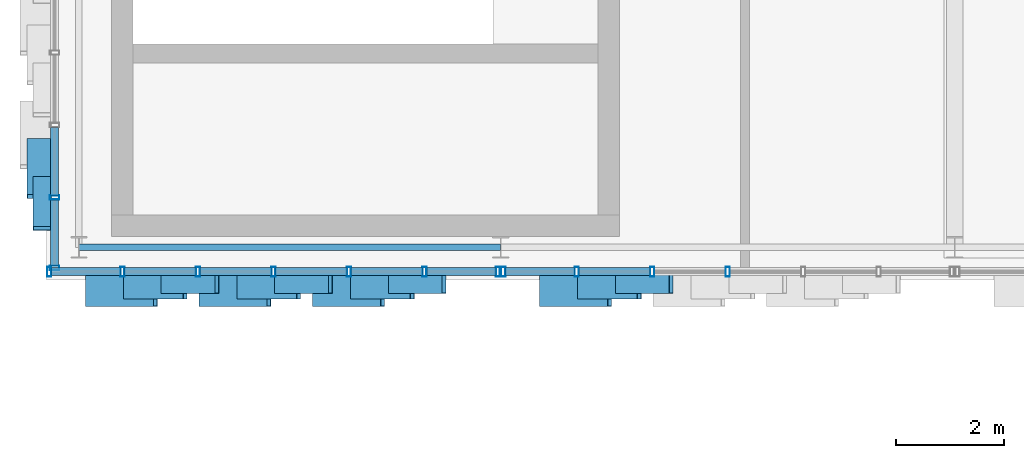
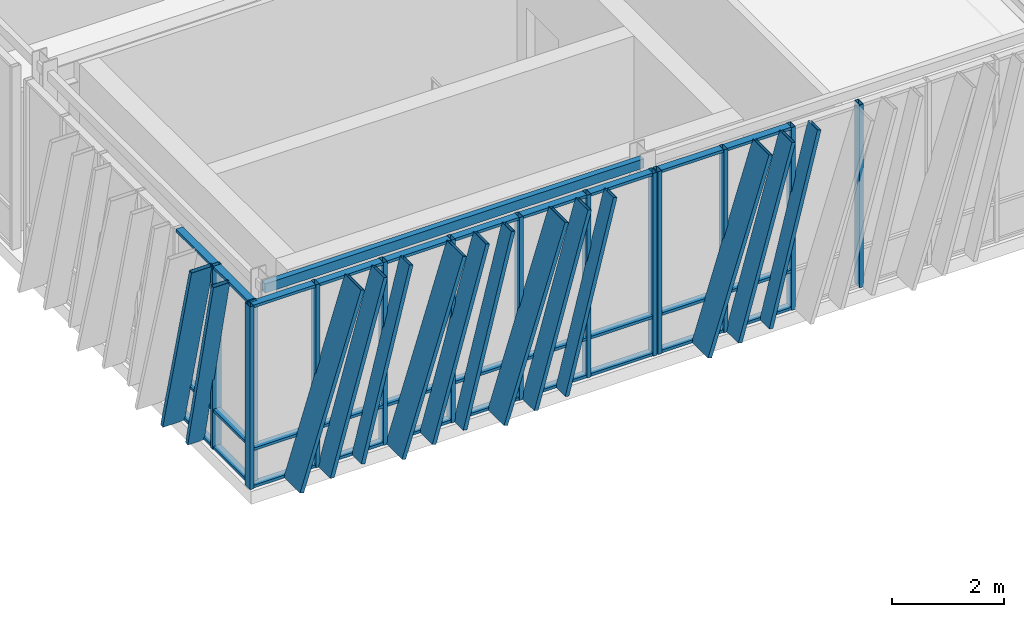
# One storey, part 19 of 123: 57 members, 1 beam, 3 elements without a shape of their own.
"""IFC4 building model written with IfcOpenShell, lengths in metres."""

from ifc_helpers import new_model, si_unit, direction, frame, origin, origin_2d, place, context, subcontext, project, spatial, hollow_rectangle, extrude, material, layer, layer_set, material_profile, profile_set, type_object, element, aggregate, save


model = new_model("IFC4")

# Units and contexts
model_context = context("Model", 3, precision=1e-05, world=origin(), true_north=direction((0.0, 1.0)))
body_context = subcontext(model_context, "Body", "Model", "MODEL_VIEW")
ifc_project = project(units=[si_unit("LENGTHUNIT", "METRE"), si_unit("AREAUNIT", "SQUARE_METRE"), si_unit("VOLUMEUNIT", "CUBIC_METRE"), si_unit("PLANEANGLEUNIT", "RADIAN"), si_unit("MASSUNIT", "GRAM", prefix="KILO")], contexts=[model_context])

# Site, building, storey
site_placement = place(None, origin())
site = spatial("IfcSite", under=ifc_project, at=site_placement, CompositionType="ELEMENT")
building_placement = place(site_placement, origin())
building = spatial("IfcBuilding", under=site, at=building_placement, Name="Zayran Congress Hotel", CompositionType="ELEMENT")
storey_placement = place(building_placement, frame((0.0, 0.0, 15.0)))
storey = spatial("IfcBuildingStorey", under=building, at=storey_placement, Name="L03", CompositionType="ELEMENT", Elevation=15.0)

# Beam
ifc_material_1 = material(Name="Steel S355", Category="steel")
ifc_material_profile_1 = material_profile(ifc_material_1, hollow_rectangle(XDim=0.1201171875, YDim=0.199951171875, WallThickness=0.008056640625, at=origin_2d()), Name="RHS 200x120x8")
ifc_profile_set_1 = profile_set([ifc_material_profile_1], Name="Steel S355")
beam_type = type_object("IfcBeamType", Name="TP-SP-02", PredefinedType="SPANDREL", material=ifc_profile_set_1)
beam_placement = place(storey_placement, frame((9.0, 68.199951171875, 3.8798828125), z_axis=(1.0, 0.0, 0.0), x_axis=(0.0, 1.0, 0.0)))
element("IfcBeam", 1, at=beam_placement, inside=storey, type_object=beam_type, Name="BM-V1-L03-0791", PredefinedType="SPANDREL", context=body_context, shape_type="SweptSolid", body=[
    extrude(hollow_rectangle(XDim=0.1201171875, YDim=0.199951171875, WallThickness=0.008056640625, at=origin_2d()), origin(), (0.0, 0.0, 1.0), 7.800048828125),
])

# Curtain wall, members
ifc_material_2 = material(Name="Anodised aluminium and low-E insulated glass", Category="aluminium")
ifc_layer_1 = layer(ifc_material_2, 0.179931640625)
ifc_layer_set_1 = layer_set([ifc_layer_1], Name="Anodised aluminium and low-E insulated glass")
curtain_wall_type_1 = type_object("IfcCurtainWallType", Name="CW-V1S-L03-CW-11-8380-3980", PredefinedType="USERDEFINED", material=ifc_layer_set_1)
curtain_wall_1_placement = place(storey_placement, origin())
curtain_wall_1 = element("IfcCurtainWall", 2, at=curtain_wall_1_placement, inside=storey, type_object=curtain_wall_type_1, Name="CW-V1S-L03-0", ObjectType="CURTAIN WALL", PredefinedType="USERDEFINED")
ifc_material_3 = material(Name="Anodised aluminium framing", Category="aluminium")
ifc_material_profile_2 = material_profile(ifc_material_3, hollow_rectangle(XDim=0.080078125, YDim=0.179931640625, WallThickness=0.0048828125, at=origin_2d()), Name="RHS 180x80x5")
ifc_profile_set_2 = profile_set([ifc_material_profile_2], Name="Anodised aluminium framing")
member_type_1 = type_object("IfcMemberType", Name="TP-CWM-01", PredefinedType="MULLION", material=ifc_profile_set_2)
member_1_placement = place(storey_placement, frame((8.449951171875, 67.75, 0.0), z_axis=(0.0, 0.0, 1.0), x_axis=(1.0, 0.0, 0.0)))
member_1 = element("IfcMember", 3, at=member_1_placement, type_object=member_type_1, Name="CW-V1S-L03-0-M00", PredefinedType="MULLION", context=body_context, shape_type="SweptSolid", body=[
    extrude(hollow_rectangle(XDim=0.080078125, YDim=0.179931640625, WallThickness=0.0048828125, at=origin_2d()), origin(), (0.0, 0.0, 1.0), 3.97998046875),
])
member_2_placement = place(storey_placement, frame((9.806640625, 67.75, 0.0), z_axis=(0.0, 0.0, 1.0), x_axis=(1.0, 0.0, 0.0)))
member_2 = element("IfcMember", 4, at=member_2_placement, type_object=member_type_1, Name="CW-V1S-L03-0-M01", PredefinedType="MULLION", context=body_context, shape_type="SweptSolid", body=[
    extrude(hollow_rectangle(XDim=0.080078125, YDim=0.179931640625, WallThickness=0.0048828125, at=origin_2d()), origin(), (0.0, 0.0, 1.0), 3.97998046875),
])
member_3_placement = place(storey_placement, frame((11.203369140625, 67.75, 0.0), z_axis=(0.0, 0.0, 1.0), x_axis=(1.0, 0.0, 0.0)))
member_3 = element("IfcMember", 5, at=member_3_placement, type_object=member_type_1, Name="CW-V1S-L03-0-M02", PredefinedType="MULLION", context=body_context, shape_type="SweptSolid", body=[
    extrude(hollow_rectangle(XDim=0.080078125, YDim=0.179931640625, WallThickness=0.0048828125, at=origin_2d()), origin(), (0.0, 0.0, 1.0), 3.97998046875),
])
member_4_placement = place(storey_placement, frame((12.60009765625, 67.75, 0.0), z_axis=(0.0, 0.0, 1.0), x_axis=(1.0, 0.0, 0.0)))
member_4 = element("IfcMember", 6, at=member_4_placement, type_object=member_type_1, Name="CW-V1S-L03-0-M03", PredefinedType="MULLION", context=body_context, shape_type="SweptSolid", body=[
    extrude(hollow_rectangle(XDim=0.080078125, YDim=0.179931640625, WallThickness=0.0048828125, at=origin_2d()), origin(), (0.0, 0.0, 1.0), 3.97998046875),
])
member_5_placement = place(storey_placement, frame((13.99658203125, 67.75, 0.0), z_axis=(0.0, 0.0, 1.0), x_axis=(1.0, 0.0, 0.0)))
member_5 = element("IfcMember", 7, at=member_5_placement, type_object=member_type_1, Name="CW-V1S-L03-0-M04", PredefinedType="MULLION", context=body_context, shape_type="SweptSolid", body=[
    extrude(hollow_rectangle(XDim=0.080078125, YDim=0.179931640625, WallThickness=0.0048828125, at=origin_2d()), origin(), (0.0, 0.0, 1.0), 3.97998046875),
])
member_6_placement = place(storey_placement, frame((15.393310546875, 67.75, 0.0), z_axis=(0.0, 0.0, 1.0), x_axis=(1.0, 0.0, 0.0)))
member_6 = element("IfcMember", 8, at=member_6_placement, type_object=member_type_1, Name="CW-V1S-L03-0-M05", PredefinedType="MULLION", context=body_context, shape_type="SweptSolid", body=[
    extrude(hollow_rectangle(XDim=0.080078125, YDim=0.179931640625, WallThickness=0.0048828125, at=origin_2d()), origin(), (0.0, 0.0, 1.0), 3.97998046875),
])
member_7_placement = place(storey_placement, frame((16.75, 67.75, 0.0), z_axis=(0.0, 0.0, 1.0), x_axis=(1.0, 0.0, 0.0)))
member_7 = element("IfcMember", 9, at=member_7_placement, type_object=member_type_1, Name="CW-V1S-L03-0-M06", PredefinedType="MULLION", context=body_context, shape_type="SweptSolid", body=[
    extrude(hollow_rectangle(XDim=0.080078125, YDim=0.179931640625, WallThickness=0.0048828125, at=origin_2d()), origin(), (0.0, 0.0, 1.0), 3.97998046875),
])

ifc_layer_2 = layer(ifc_material_2, 0.179931640625)
ifc_layer_set_2 = layer_set([ifc_layer_2], Name="Anodised aluminium and low-E insulated glass")
curtain_wall_type_2 = type_object("IfcCurtainWallType", Name="CW-V1S-L03-CW-12-8380-3980", PredefinedType="USERDEFINED", material=ifc_layer_set_2)
curtain_wall_2_placement = place(storey_placement, origin())
curtain_wall_2 = element("IfcCurtainWall", 10, at=curtain_wall_2_placement, inside=storey, type_object=curtain_wall_type_2, Name="CW-V1S-L03-1", ObjectType="CURTAIN WALL", PredefinedType="USERDEFINED")
member_8_placement = place(storey_placement, frame((16.85009765625, 67.75, 0.0), z_axis=(0.0, 0.0, 1.0), x_axis=(1.0, 0.0, 0.0)))
member_8 = element("IfcMember", 11, at=member_8_placement, type_object=member_type_1, Name="CW-V1S-L03-1-M00", PredefinedType="MULLION", context=body_context, shape_type="SweptSolid", body=[
    extrude(hollow_rectangle(XDim=0.080078125, YDim=0.179931640625, WallThickness=0.0048828125, at=origin_2d()), origin(), (0.0, 0.0, 1.0), 3.97998046875),
])
member_9_placement = place(storey_placement, frame((18.206787109375, 67.75, 0.0), z_axis=(0.0, 0.0, 1.0), x_axis=(1.0, 0.0, 0.0)))
member_9 = element("IfcMember", 12, at=member_9_placement, type_object=member_type_1, Name="CW-V1S-L03-1-M01", PredefinedType="MULLION", context=body_context, shape_type="SweptSolid", body=[
    extrude(hollow_rectangle(XDim=0.080078125, YDim=0.179931640625, WallThickness=0.0048828125, at=origin_2d()), origin(), (0.0, 0.0, 1.0), 3.97998046875),
])
member_10_placement = place(storey_placement, frame((19.603271484375, 67.75, 0.0), z_axis=(0.0, 0.0, 1.0), x_axis=(1.0, 0.0, 0.0)))
member_10 = element("IfcMember", 13, at=member_10_placement, type_object=member_type_1, Name="CW-V1S-L03-1-M02", PredefinedType="MULLION", context=body_context, shape_type="SweptSolid", body=[
    extrude(hollow_rectangle(XDim=0.080078125, YDim=0.179931640625, WallThickness=0.0048828125, at=origin_2d()), origin(), (0.0, 0.0, 1.0), 3.97998046875),
])
member_11_placement = place(storey_placement, frame((21.0, 67.75, 0.0), z_axis=(0.0, 0.0, 1.0), x_axis=(1.0, 0.0, 0.0)))
member_11 = element("IfcMember", 14, at=member_11_placement, type_object=member_type_1, Name="CW-V1S-L03-1-M03", PredefinedType="MULLION", context=body_context, shape_type="SweptSolid", body=[
    extrude(hollow_rectangle(XDim=0.080078125, YDim=0.179931640625, WallThickness=0.0048828125, at=origin_2d()), origin(), (0.0, 0.0, 1.0), 3.97998046875),
])

ifc_layer_3 = layer(ifc_material_2, 0.179931640625)
ifc_layer_set_3 = layer_set([ifc_layer_3], Name="Anodised aluminium and low-E insulated glass")
curtain_wall_type_3 = type_object("IfcCurtainWallType", Name="CW-V1W-L03-CW-31-8040-3980", PredefinedType="USERDEFINED", material=ifc_layer_set_3)
curtain_wall_3_placement = place(storey_placement, origin())
curtain_wall_3 = element("IfcCurtainWall", 15, at=curtain_wall_3_placement, inside=storey, type_object=curtain_wall_type_3, Name="CW-V1W-L03-0", ObjectType="CURTAIN WALL", PredefinedType="USERDEFINED")
member_12_placement = place(storey_placement, frame((8.550048828125, 69.1201171875, 0.0), z_axis=(0.0, 0.0, 1.0), x_axis=(0.0, 1.0, 0.0)))
member_12 = element("IfcMember", 16, at=member_12_placement, type_object=member_type_1, Name="CW-V1W-L03-0-M05", PredefinedType="MULLION", context=body_context, shape_type="SweptSolid", body=[
    extrude(hollow_rectangle(XDim=0.080078125, YDim=0.179931640625, WallThickness=0.0048828125, at=origin_2d()), origin(), (0.0, 0.0, 1.0), 3.97998046875),
])
member_13_placement = place(storey_placement, frame((8.550048828125, 67.820068359375, 0.0), z_axis=(0.0, 0.0, 1.0), x_axis=(0.0, 1.0, 0.0)))
member_13 = element("IfcMember", 17, at=member_13_placement, type_object=member_type_1, Name="CW-V1W-L03-0-M06", PredefinedType="MULLION", context=body_context, shape_type="SweptSolid", body=[
    extrude(hollow_rectangle(XDim=0.080078125, YDim=0.179931640625, WallThickness=0.0048828125, at=origin_2d()), origin(), (0.0, 0.0, 1.0), 3.97998046875),
])

# Member
ifc_material_profile_3 = material_profile(ifc_material_3, hollow_rectangle(XDim=0.06005859375, YDim=0.14990234375, WallThickness=0.00390625, at=origin_2d()), Name="RHS 150x60x4")
ifc_profile_set_3 = profile_set([ifc_material_profile_3], Name="Anodised aluminium framing")
member_type_2 = type_object("IfcMemberType", Name="TP-CWT-01", PredefinedType="USERDEFINED", material=ifc_profile_set_3)
member_14_placement = place(storey_placement, frame((8.489990234375, 67.75, 0.030029296875), z_axis=(1.0, 0.0, 0.0), x_axis=(0.0, 0.0, 1.0)))
member_14 = element("IfcMember", 18, at=member_14_placement, type_object=member_type_2, Name="CW-V1S-L03-0-T00-0", ObjectType="TRANSOM", PredefinedType="USERDEFINED", context=body_context, shape_type="SweptSolid", body=[
    extrude(hollow_rectangle(XDim=0.06005859375, YDim=0.14990234375, WallThickness=0.00390625, at=origin_2d()), origin(), (0.0, 0.0, 1.0), 1.276611328125),
])

member_15_placement = place(storey_placement, frame((8.489990234375, 67.75, 0.840087890625), z_axis=(1.0, 0.0, 0.0), x_axis=(0.0, 0.0, 1.0)))
member_15 = element("IfcMember", 19, at=member_15_placement, type_object=member_type_2, Name="CW-V1S-L03-0-T00-1", ObjectType="TRANSOM", PredefinedType="USERDEFINED", context=body_context, shape_type="SweptSolid", body=[
    extrude(hollow_rectangle(XDim=0.06005859375, YDim=0.14990234375, WallThickness=0.00390625, at=origin_2d()), origin(), (0.0, 0.0, 1.0), 1.276611328125),
])

member_16_placement = place(storey_placement, frame((8.489990234375, 67.75, 3.949951171875), z_axis=(1.0, 0.0, 0.0), x_axis=(0.0, 0.0, 1.0)))
member_16 = element("IfcMember", 20, at=member_16_placement, type_object=member_type_2, Name="CW-V1S-L03-0-T00-2", ObjectType="TRANSOM", PredefinedType="USERDEFINED", context=body_context, shape_type="SweptSolid", body=[
    extrude(hollow_rectangle(XDim=0.06005859375, YDim=0.14990234375, WallThickness=0.00390625, at=origin_2d()), origin(), (0.0, 0.0, 1.0), 1.276611328125),
])

member_17_placement = place(storey_placement, frame((9.8466796875, 67.75, 0.030029296875), z_axis=(1.0, 0.0, 0.0), x_axis=(0.0, 0.0, 1.0)))
member_17 = element("IfcMember", 21, at=member_17_placement, type_object=member_type_2, Name="CW-V1S-L03-0-T01-0", ObjectType="TRANSOM", PredefinedType="USERDEFINED", context=body_context, shape_type="SweptSolid", body=[
    extrude(hollow_rectangle(XDim=0.06005859375, YDim=0.14990234375, WallThickness=0.00390625, at=origin_2d()), origin(), (0.0, 0.0, 1.0), 1.316650390625),
])

member_18_placement = place(storey_placement, frame((9.8466796875, 67.75, 0.840087890625), z_axis=(1.0, 0.0, 0.0), x_axis=(0.0, 0.0, 1.0)))
member_18 = element("IfcMember", 22, at=member_18_placement, type_object=member_type_2, Name="CW-V1S-L03-0-T01-1", ObjectType="TRANSOM", PredefinedType="USERDEFINED", context=body_context, shape_type="SweptSolid", body=[
    extrude(hollow_rectangle(XDim=0.06005859375, YDim=0.14990234375, WallThickness=0.00390625, at=origin_2d()), origin(), (0.0, 0.0, 1.0), 1.316650390625),
])

member_19_placement = place(storey_placement, frame((9.8466796875, 67.75, 3.949951171875), z_axis=(1.0, 0.0, 0.0), x_axis=(0.0, 0.0, 1.0)))
member_19 = element("IfcMember", 23, at=member_19_placement, type_object=member_type_2, Name="CW-V1S-L03-0-T01-2", ObjectType="TRANSOM", PredefinedType="USERDEFINED", context=body_context, shape_type="SweptSolid", body=[
    extrude(hollow_rectangle(XDim=0.06005859375, YDim=0.14990234375, WallThickness=0.00390625, at=origin_2d()), origin(), (0.0, 0.0, 1.0), 1.316650390625),
])

member_20_placement = place(storey_placement, frame((11.243408203125, 67.75, 0.030029296875), z_axis=(1.0, 0.0, 0.0), x_axis=(0.0, 0.0, 1.0)))
member_20 = element("IfcMember", 24, at=member_20_placement, type_object=member_type_2, Name="CW-V1S-L03-0-T02-0", ObjectType="TRANSOM", PredefinedType="USERDEFINED", context=body_context, shape_type="SweptSolid", body=[
    extrude(hollow_rectangle(XDim=0.06005859375, YDim=0.14990234375, WallThickness=0.00390625, at=origin_2d()), origin(), (0.0, 0.0, 1.0), 1.316650390625),
])

member_21_placement = place(storey_placement, frame((11.243408203125, 67.75, 0.840087890625), z_axis=(1.0, 0.0, 0.0), x_axis=(0.0, 0.0, 1.0)))
member_21 = element("IfcMember", 25, at=member_21_placement, type_object=member_type_2, Name="CW-V1S-L03-0-T02-1", ObjectType="TRANSOM", PredefinedType="USERDEFINED", context=body_context, shape_type="SweptSolid", body=[
    extrude(hollow_rectangle(XDim=0.06005859375, YDim=0.14990234375, WallThickness=0.00390625, at=origin_2d()), origin(), (0.0, 0.0, 1.0), 1.316650390625),
])

member_22_placement = place(storey_placement, frame((11.243408203125, 67.75, 3.949951171875), z_axis=(1.0, 0.0, 0.0), x_axis=(0.0, 0.0, 1.0)))
member_22 = element("IfcMember", 26, at=member_22_placement, type_object=member_type_2, Name="CW-V1S-L03-0-T02-2", ObjectType="TRANSOM", PredefinedType="USERDEFINED", context=body_context, shape_type="SweptSolid", body=[
    extrude(hollow_rectangle(XDim=0.06005859375, YDim=0.14990234375, WallThickness=0.00390625, at=origin_2d()), origin(), (0.0, 0.0, 1.0), 1.316650390625),
])

member_23_placement = place(storey_placement, frame((12.639892578125, 67.75, 0.030029296875), z_axis=(1.0, 0.0, 0.0), x_axis=(0.0, 0.0, 1.0)))
member_23 = element("IfcMember", 27, at=member_23_placement, type_object=member_type_2, Name="CW-V1S-L03-0-T03-0", ObjectType="TRANSOM", PredefinedType="USERDEFINED", context=body_context, shape_type="SweptSolid", body=[
    extrude(hollow_rectangle(XDim=0.06005859375, YDim=0.14990234375, WallThickness=0.00390625, at=origin_2d()), origin(), (0.0, 0.0, 1.0), 1.31689453125),
])

member_24_placement = place(storey_placement, frame((12.639892578125, 67.75, 0.840087890625), z_axis=(1.0, 0.0, 0.0), x_axis=(0.0, 0.0, 1.0)))
member_24 = element("IfcMember", 28, at=member_24_placement, type_object=member_type_2, Name="CW-V1S-L03-0-T03-1", ObjectType="TRANSOM", PredefinedType="USERDEFINED", context=body_context, shape_type="SweptSolid", body=[
    extrude(hollow_rectangle(XDim=0.06005859375, YDim=0.14990234375, WallThickness=0.00390625, at=origin_2d()), origin(), (0.0, 0.0, 1.0), 1.31689453125),
])

member_25_placement = place(storey_placement, frame((12.639892578125, 67.75, 3.949951171875), z_axis=(1.0, 0.0, 0.0), x_axis=(0.0, 0.0, 1.0)))
member_25 = element("IfcMember", 29, at=member_25_placement, type_object=member_type_2, Name="CW-V1S-L03-0-T03-2", ObjectType="TRANSOM", PredefinedType="USERDEFINED", context=body_context, shape_type="SweptSolid", body=[
    extrude(hollow_rectangle(XDim=0.06005859375, YDim=0.14990234375, WallThickness=0.00390625, at=origin_2d()), origin(), (0.0, 0.0, 1.0), 1.31689453125),
])

member_26_placement = place(storey_placement, frame((14.03662109375, 67.75, 0.030029296875), z_axis=(1.0, 0.0, 0.0), x_axis=(0.0, 0.0, 1.0)))
member_26 = element("IfcMember", 30, at=member_26_placement, type_object=member_type_2, Name="CW-V1S-L03-0-T04-0", ObjectType="TRANSOM", PredefinedType="USERDEFINED", context=body_context, shape_type="SweptSolid", body=[
    extrude(hollow_rectangle(XDim=0.06005859375, YDim=0.14990234375, WallThickness=0.00390625, at=origin_2d()), origin(), (0.0, 0.0, 1.0), 1.316650390625),
])

member_27_placement = place(storey_placement, frame((14.03662109375, 67.75, 0.840087890625), z_axis=(1.0, 0.0, 0.0), x_axis=(0.0, 0.0, 1.0)))
member_27 = element("IfcMember", 31, at=member_27_placement, type_object=member_type_2, Name="CW-V1S-L03-0-T04-1", ObjectType="TRANSOM", PredefinedType="USERDEFINED", context=body_context, shape_type="SweptSolid", body=[
    extrude(hollow_rectangle(XDim=0.06005859375, YDim=0.14990234375, WallThickness=0.00390625, at=origin_2d()), origin(), (0.0, 0.0, 1.0), 1.316650390625),
])

member_28_placement = place(storey_placement, frame((14.03662109375, 67.75, 3.949951171875), z_axis=(1.0, 0.0, 0.0), x_axis=(0.0, 0.0, 1.0)))
member_28 = element("IfcMember", 32, at=member_28_placement, type_object=member_type_2, Name="CW-V1S-L03-0-T04-2", ObjectType="TRANSOM", PredefinedType="USERDEFINED", context=body_context, shape_type="SweptSolid", body=[
    extrude(hollow_rectangle(XDim=0.06005859375, YDim=0.14990234375, WallThickness=0.00390625, at=origin_2d()), origin(), (0.0, 0.0, 1.0), 1.316650390625),
])

member_29_placement = place(storey_placement, frame((15.433349609375, 67.75, 0.030029296875), z_axis=(1.0, 0.0, 0.0), x_axis=(0.0, 0.0, 1.0)))
member_29 = element("IfcMember", 33, at=member_29_placement, type_object=member_type_2, Name="CW-V1S-L03-0-T05-0", ObjectType="TRANSOM", PredefinedType="USERDEFINED", context=body_context, shape_type="SweptSolid", body=[
    extrude(hollow_rectangle(XDim=0.06005859375, YDim=0.14990234375, WallThickness=0.00390625, at=origin_2d()), origin(), (0.0, 0.0, 1.0), 1.276611328125),
])

member_30_placement = place(storey_placement, frame((15.433349609375, 67.75, 0.840087890625), z_axis=(1.0, 0.0, 0.0), x_axis=(0.0, 0.0, 1.0)))
member_30 = element("IfcMember", 34, at=member_30_placement, type_object=member_type_2, Name="CW-V1S-L03-0-T05-1", ObjectType="TRANSOM", PredefinedType="USERDEFINED", context=body_context, shape_type="SweptSolid", body=[
    extrude(hollow_rectangle(XDim=0.06005859375, YDim=0.14990234375, WallThickness=0.00390625, at=origin_2d()), origin(), (0.0, 0.0, 1.0), 1.276611328125),
])

member_31_placement = place(storey_placement, frame((15.433349609375, 67.75, 3.949951171875), z_axis=(1.0, 0.0, 0.0), x_axis=(0.0, 0.0, 1.0)))
member_31 = element("IfcMember", 35, at=member_31_placement, type_object=member_type_2, Name="CW-V1S-L03-0-T05-2", ObjectType="TRANSOM", PredefinedType="USERDEFINED", context=body_context, shape_type="SweptSolid", body=[
    extrude(hollow_rectangle(XDim=0.06005859375, YDim=0.14990234375, WallThickness=0.00390625, at=origin_2d()), origin(), (0.0, 0.0, 1.0), 1.276611328125),
])

member_32_placement = place(storey_placement, frame((16.889892578125, 67.75, 0.030029296875), z_axis=(1.0, 0.0, 0.0), x_axis=(0.0, 0.0, 1.0)))
member_32 = element("IfcMember", 36, at=member_32_placement, type_object=member_type_2, Name="CW-V1S-L03-1-T00-0", ObjectType="TRANSOM", PredefinedType="USERDEFINED", context=body_context, shape_type="SweptSolid", body=[
    extrude(hollow_rectangle(XDim=0.06005859375, YDim=0.14990234375, WallThickness=0.00390625, at=origin_2d()), origin(), (0.0, 0.0, 1.0), 1.27685546875),
])

member_33_placement = place(storey_placement, frame((16.889892578125, 67.75, 0.840087890625), z_axis=(1.0, 0.0, 0.0), x_axis=(0.0, 0.0, 1.0)))
member_33 = element("IfcMember", 37, at=member_33_placement, type_object=member_type_2, Name="CW-V1S-L03-1-T00-1", ObjectType="TRANSOM", PredefinedType="USERDEFINED", context=body_context, shape_type="SweptSolid", body=[
    extrude(hollow_rectangle(XDim=0.06005859375, YDim=0.14990234375, WallThickness=0.00390625, at=origin_2d()), origin(), (0.0, 0.0, 1.0), 1.27685546875),
])

member_34_placement = place(storey_placement, frame((16.889892578125, 67.75, 3.949951171875), z_axis=(1.0, 0.0, 0.0), x_axis=(0.0, 0.0, 1.0)))
member_34 = element("IfcMember", 38, at=member_34_placement, type_object=member_type_2, Name="CW-V1S-L03-1-T00-2", ObjectType="TRANSOM", PredefinedType="USERDEFINED", context=body_context, shape_type="SweptSolid", body=[
    extrude(hollow_rectangle(XDim=0.06005859375, YDim=0.14990234375, WallThickness=0.00390625, at=origin_2d()), origin(), (0.0, 0.0, 1.0), 1.27685546875),
])

member_35_placement = place(storey_placement, frame((18.24658203125, 67.75, 0.030029296875), z_axis=(1.0, 0.0, 0.0), x_axis=(0.0, 0.0, 1.0)))
member_35 = element("IfcMember", 39, at=member_35_placement, type_object=member_type_2, Name="CW-V1S-L03-1-T01-0", ObjectType="TRANSOM", PredefinedType="USERDEFINED", context=body_context, shape_type="SweptSolid", body=[
    extrude(hollow_rectangle(XDim=0.06005859375, YDim=0.14990234375, WallThickness=0.00390625, at=origin_2d()), origin(), (0.0, 0.0, 1.0), 1.316650390625),
])

member_36_placement = place(storey_placement, frame((18.24658203125, 67.75, 0.840087890625), z_axis=(1.0, 0.0, 0.0), x_axis=(0.0, 0.0, 1.0)))
member_36 = element("IfcMember", 40, at=member_36_placement, type_object=member_type_2, Name="CW-V1S-L03-1-T01-1", ObjectType="TRANSOM", PredefinedType="USERDEFINED", context=body_context, shape_type="SweptSolid", body=[
    extrude(hollow_rectangle(XDim=0.06005859375, YDim=0.14990234375, WallThickness=0.00390625, at=origin_2d()), origin(), (0.0, 0.0, 1.0), 1.316650390625),
])

member_37_placement = place(storey_placement, frame((18.24658203125, 67.75, 3.949951171875), z_axis=(1.0, 0.0, 0.0), x_axis=(0.0, 0.0, 1.0)))
member_37 = element("IfcMember", 41, at=member_37_placement, type_object=member_type_2, Name="CW-V1S-L03-1-T01-2", ObjectType="TRANSOM", PredefinedType="USERDEFINED", context=body_context, shape_type="SweptSolid", body=[
    extrude(hollow_rectangle(XDim=0.06005859375, YDim=0.14990234375, WallThickness=0.00390625, at=origin_2d()), origin(), (0.0, 0.0, 1.0), 1.316650390625),
])

member_38_placement = place(storey_placement, frame((8.550048828125, 70.419921875, 0.030029296875), z_axis=(0.0, -1.0, 0.0), x_axis=(0.0, 0.0, 1.0)))
member_38 = element("IfcMember", 42, at=member_38_placement, type_object=member_type_2, Name="CW-V1W-L03-0-T04-0", ObjectType="TRANSOM", PredefinedType="USERDEFINED", context=body_context, shape_type="SweptSolid", body=[
    extrude(hollow_rectangle(XDim=0.06005859375, YDim=0.14990234375, WallThickness=0.00390625, at=origin_2d()), origin(), (0.0, 0.0, 1.0), 1.260009765625),
])

member_39_placement = place(storey_placement, frame((8.550048828125, 70.419921875, 0.840087890625), z_axis=(0.0, -1.0, 0.0), x_axis=(0.0, 0.0, 1.0)))
member_39 = element("IfcMember", 43, at=member_39_placement, type_object=member_type_2, Name="CW-V1W-L03-0-T04-1", ObjectType="TRANSOM", PredefinedType="USERDEFINED", context=body_context, shape_type="SweptSolid", body=[
    extrude(hollow_rectangle(XDim=0.06005859375, YDim=0.14990234375, WallThickness=0.00390625, at=origin_2d()), origin(), (0.0, 0.0, 1.0), 1.260009765625),
])

member_40_placement = place(storey_placement, frame((8.550048828125, 70.419921875, 3.949951171875), z_axis=(0.0, -1.0, 0.0), x_axis=(0.0, 0.0, 1.0)))
member_40 = element("IfcMember", 44, at=member_40_placement, type_object=member_type_2, Name="CW-V1W-L03-0-T04-2", ObjectType="TRANSOM", PredefinedType="USERDEFINED", context=body_context, shape_type="SweptSolid", body=[
    extrude(hollow_rectangle(XDim=0.06005859375, YDim=0.14990234375, WallThickness=0.00390625, at=origin_2d()), origin(), (0.0, 0.0, 1.0), 1.260009765625),
])

member_41_placement = place(storey_placement, frame((8.550048828125, 69.080078125, 0.030029296875), z_axis=(0.0, -1.0, 0.0), x_axis=(0.0, 0.0, 1.0)))
member_41 = element("IfcMember", 45, at=member_41_placement, type_object=member_type_2, Name="CW-V1W-L03-0-T05-0", ObjectType="TRANSOM", PredefinedType="USERDEFINED", context=body_context, shape_type="SweptSolid", body=[
    extrude(hollow_rectangle(XDim=0.06005859375, YDim=0.14990234375, WallThickness=0.00390625, at=origin_2d()), origin(), (0.0, 0.0, 1.0), 1.219970703125),
])

member_42_placement = place(storey_placement, frame((8.550048828125, 69.080078125, 0.840087890625), z_axis=(0.0, -1.0, 0.0), x_axis=(0.0, 0.0, 1.0)))
member_42 = element("IfcMember", 46, at=member_42_placement, type_object=member_type_2, Name="CW-V1W-L03-0-T05-1", ObjectType="TRANSOM", PredefinedType="USERDEFINED", context=body_context, shape_type="SweptSolid", body=[
    extrude(hollow_rectangle(XDim=0.06005859375, YDim=0.14990234375, WallThickness=0.00390625, at=origin_2d()), origin(), (0.0, 0.0, 1.0), 1.219970703125),
])

member_43_placement = place(storey_placement, frame((8.550048828125, 69.080078125, 3.949951171875), z_axis=(0.0, -1.0, 0.0), x_axis=(0.0, 0.0, 1.0)))
member_43 = element("IfcMember", 47, at=member_43_placement, type_object=member_type_2, Name="CW-V1W-L03-0-T05-2", ObjectType="TRANSOM", PredefinedType="USERDEFINED", context=body_context, shape_type="SweptSolid", body=[
    extrude(hollow_rectangle(XDim=0.06005859375, YDim=0.14990234375, WallThickness=0.00390625, at=origin_2d()), origin(), (0.0, 0.0, 1.0), 1.219970703125),
])

ifc_material_4 = material(Name="Warm bronze anodised aluminium", Category="aluminium")
ifc_material_profile_4 = material_profile(ifc_material_4, hollow_rectangle(XDim=0.080078125, YDim=0.580078125, WallThickness=0.006103515625, at=origin_2d()), Name="RHS 580x80x6")
ifc_profile_set_4 = profile_set([ifc_material_profile_4], Name="Warm bronze anodised aluminium")
member_type_3 = type_object("IfcMemberType", Name="TP-RFN-01", PredefinedType="MULLION", material=ifc_profile_set_4)
member_44_placement = place(storey_placement, frame((9.159912109375, 67.39990234375, 0.0), z_axis=(0.300705753938, 0.0, 0.953716965115), x_axis=(-0.953716965115, 0.0, 0.300705753938)))
member_44 = element("IfcMember", 48, at=member_44_placement, type_object=member_type_3, Name="Slanting Reed Mullion CW-11-01", PredefinedType="MULLION", context=body_context, shape_type="SweptSolid", body=[
    extrude(hollow_rectangle(XDim=0.080078125, YDim=0.580078125, WallThickness=0.006103515625, at=origin_2d()), origin(), (0.0, 0.0, 1.0), 4.173095703125),
])

member_45_placement = place(storey_placement, frame((11.260009765625, 67.39990234375, 0.0), z_axis=(0.300705753938, 0.0, 0.953716965115), x_axis=(-0.953716965115, 0.0, 0.300705753938)))
member_45 = element("IfcMember", 49, at=member_45_placement, type_object=member_type_3, Name="Slanting Reed Mullion CW-11-04", PredefinedType="MULLION", context=body_context, shape_type="SweptSolid", body=[
    extrude(hollow_rectangle(XDim=0.080078125, YDim=0.580078125, WallThickness=0.006103515625, at=origin_2d()), origin(), (0.0, 0.0, 1.0), 4.173095703125),
])

member_46_placement = place(storey_placement, frame((13.360107421875, 67.39990234375, 0.0), z_axis=(0.300705753938, 0.0, 0.953716965115), x_axis=(-0.953716965115, 0.0, 0.300705753938)))
member_46 = element("IfcMember", 50, at=member_46_placement, type_object=member_type_3, Name="Slanting Reed Mullion CW-11-07", PredefinedType="MULLION", context=body_context, shape_type="SweptSolid", body=[
    extrude(hollow_rectangle(XDim=0.080078125, YDim=0.580078125, WallThickness=0.006103515625, at=origin_2d()), origin(), (0.0, 0.0, 1.0), 4.173095703125),
])

member_47_placement = place(storey_placement, frame((17.56005859375, 67.39990234375, 0.0), z_axis=(0.300705753938, 0.0, 0.953716965115), x_axis=(-0.953716965115, 0.0, 0.300705753938)))
member_47 = element("IfcMember", 51, at=member_47_placement, type_object=member_type_3, Name="Slanting Reed Mullion CW-12-01", PredefinedType="MULLION", context=body_context, shape_type="SweptSolid", body=[
    extrude(hollow_rectangle(XDim=0.080078125, YDim=0.580078125, WallThickness=0.006103515625, at=origin_2d()), origin(), (0.0, 0.0, 1.0), 4.173095703125),
])

ifc_material_profile_5 = material_profile(ifc_material_4, hollow_rectangle(XDim=0.080078125, YDim=0.449951171875, WallThickness=0.006103515625, at=origin_2d()), Name="RHS 450x80x6")
ifc_profile_set_5 = profile_set([ifc_material_profile_5], Name="Warm bronze anodised aluminium")
member_type_4 = type_object("IfcMemberType", Name="TP-RFN-02", PredefinedType="MULLION", material=ifc_profile_set_5)
member_48_placement = place(storey_placement, frame((9.860107421875, 67.465087890625, 0.0), z_axis=(0.267241410526, 0.0, 0.963629611677), x_axis=(-0.963629611677, 0.0, 0.267241410526)))
member_48 = element("IfcMember", 52, at=member_48_placement, type_object=member_type_4, Name="Slanting Reed Mullion CW-11-02", PredefinedType="MULLION", context=body_context, shape_type="SweptSolid", body=[
    extrude(hollow_rectangle(XDim=0.080078125, YDim=0.449951171875, WallThickness=0.006103515625, at=origin_2d()), origin(), (0.0, 0.0, 1.0), 4.130126953125),
])

member_49_placement = place(storey_placement, frame((11.9599609375, 67.465087890625, 0.0), z_axis=(0.267241410526, 0.0, 0.963629611677), x_axis=(-0.963629611677, 0.0, 0.267241410526)))
member_49 = element("IfcMember", 53, at=member_49_placement, type_object=member_type_4, Name="Slanting Reed Mullion CW-11-05", PredefinedType="MULLION", context=body_context, shape_type="SweptSolid", body=[
    extrude(hollow_rectangle(XDim=0.080078125, YDim=0.449951171875, WallThickness=0.006103515625, at=origin_2d()), origin(), (0.0, 0.0, 1.0), 4.130126953125),
])

member_50_placement = place(storey_placement, frame((14.06005859375, 67.465087890625, 0.0), z_axis=(0.267241410526, 0.0, 0.963629611677), x_axis=(-0.963629611677, 0.0, 0.267241410526)))
member_50 = element("IfcMember", 54, at=member_50_placement, type_object=member_type_4, Name="Slanting Reed Mullion CW-11-08", PredefinedType="MULLION", context=body_context, shape_type="SweptSolid", body=[
    extrude(hollow_rectangle(XDim=0.080078125, YDim=0.449951171875, WallThickness=0.006103515625, at=origin_2d()), origin(), (0.0, 0.0, 1.0), 4.130126953125),
])

member_51_placement = place(storey_placement, frame((18.260009765625, 67.465087890625, 0.0), z_axis=(0.267241410526, 0.0, 0.963629611677), x_axis=(-0.963629611677, 0.0, 0.267241410526)))
member_51 = element("IfcMember", 55, at=member_51_placement, type_object=member_type_4, Name="Slanting Reed Mullion CW-12-02", PredefinedType="MULLION", context=body_context, shape_type="SweptSolid", body=[
    extrude(hollow_rectangle(XDim=0.080078125, YDim=0.449951171875, WallThickness=0.006103515625, at=origin_2d()), origin(), (0.0, 0.0, 1.0), 4.130126953125),
])

member_52_placement = place(storey_placement, frame((8.264892578125, 70.169921875, 0.0), z_axis=(0.0, -0.250380902481, 0.968147408029), x_axis=(0.0, 0.968147408029, 0.250380902481)))
member_52 = element("IfcMember", 56, at=member_52_placement, type_object=member_type_4, Name="Slanting Reed Mullion CW-31-08", PredefinedType="MULLION", context=body_context, shape_type="SweptSolid", body=[
    extrude(hollow_rectangle(XDim=0.080078125, YDim=0.449951171875, WallThickness=0.006103515625, at=origin_2d()), origin(), (0.0, 0.0, 1.0), 4.11083984375),
])

ifc_material_profile_6 = material_profile(ifc_material_4, hollow_rectangle(XDim=0.080078125, YDim=0.340087890625, WallThickness=0.006103515625, at=origin_2d()), Name="RHS 340x80x6")
ifc_profile_set_6 = profile_set([ifc_material_profile_6], Name="Warm bronze anodised aluminium")
member_type_5 = type_object("IfcMemberType", Name="TP-RFN-03", PredefinedType="MULLION", material=ifc_profile_set_6)
member_53_placement = place(storey_placement, frame((10.56005859375, 67.52001953125, 0.0), z_axis=(0.24189134958, 0.0, 0.970303341743), x_axis=(-0.970303341743, 0.0, 0.24189134958)))
member_53 = element("IfcMember", 57, at=member_53_placement, type_object=member_type_5, Name="Slanting Reed Mullion CW-11-03", PredefinedType="MULLION", context=body_context, shape_type="SweptSolid", body=[
    extrude(hollow_rectangle(XDim=0.080078125, YDim=0.340087890625, WallThickness=0.006103515625, at=origin_2d()), origin(), (0.0, 0.0, 1.0), 4.101806640625),
])

member_54_placement = place(storey_placement, frame((12.659912109375, 67.52001953125, 0.0), z_axis=(0.241947386249, 0.0, 0.970289370388), x_axis=(-0.970289370388, 0.0, 0.241947386249)))
member_54 = element("IfcMember", 58, at=member_54_placement, type_object=member_type_5, Name="Slanting Reed Mullion CW-11-06", PredefinedType="MULLION", context=body_context, shape_type="SweptSolid", body=[
    extrude(hollow_rectangle(XDim=0.080078125, YDim=0.340087890625, WallThickness=0.006103515625, at=origin_2d()), origin(), (0.0, 0.0, 1.0), 4.101806640625),
])

member_55_placement = place(storey_placement, frame((14.760009765625, 67.52001953125, 0.0), z_axis=(0.24189134958, 0.0, 0.970303341743), x_axis=(-0.970303341743, 0.0, 0.24189134958)))
member_55 = element("IfcMember", 59, at=member_55_placement, type_object=member_type_5, Name="Slanting Reed Mullion CW-11-09", PredefinedType="MULLION", context=body_context, shape_type="SweptSolid", body=[
    extrude(hollow_rectangle(XDim=0.080078125, YDim=0.340087890625, WallThickness=0.006103515625, at=origin_2d()), origin(), (0.0, 0.0, 1.0), 4.101806640625),
])

aggregate(curtain_wall_1, [member_1, member_2, member_3, member_4, member_5, member_6, member_7, member_14, member_15, member_16, member_17, member_18, member_19, member_20, member_21, member_22, member_23, member_24, member_25, member_26, member_27, member_28, member_29, member_30, member_31, member_44, member_48, member_53, member_45, member_49, member_54, member_46, member_50, member_55])

member_56_placement = place(storey_placement, frame((18.9599609375, 67.52001953125, 0.0), z_axis=(0.241947386249, 0.0, 0.970289370388), x_axis=(-0.970289370388, 0.0, 0.241947386249)))
member_56 = element("IfcMember", 60, at=member_56_placement, type_object=member_type_5, Name="Slanting Reed Mullion CW-12-03", PredefinedType="MULLION", context=body_context, shape_type="SweptSolid", body=[
    extrude(hollow_rectangle(XDim=0.080078125, YDim=0.340087890625, WallThickness=0.006103515625, at=origin_2d()), origin(), (0.0, 0.0, 1.0), 4.101806640625),
])

aggregate(curtain_wall_2, [member_8, member_9, member_10, member_11, member_32, member_33, member_34, member_35, member_36, member_37, member_47, member_51, member_56])

member_57_placement = place(storey_placement, frame((8.320068359375, 69.469970703125, 0.0), z_axis=(0.0, -0.224973000371, 0.974364997885), x_axis=(0.0, 0.974364997885, 0.224973000371)))
member_57 = element("IfcMember", 61, at=member_57_placement, type_object=member_type_5, Name="Slanting Reed Mullion CW-31-09", PredefinedType="MULLION", context=body_context, shape_type="SweptSolid", body=[
    extrude(hollow_rectangle(XDim=0.080078125, YDim=0.340087890625, WallThickness=0.006103515625, at=origin_2d()), origin(), (0.0, 0.0, 1.0), 4.084716796875),
])

aggregate(curtain_wall_3, [member_12, member_13, member_38, member_39, member_40, member_41, member_42, member_43, member_52, member_57])

save(model, "model.ifc")
